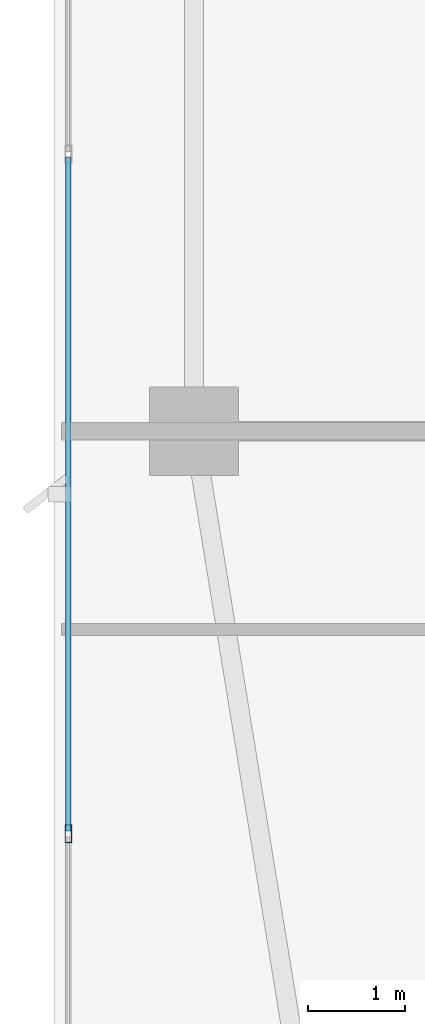
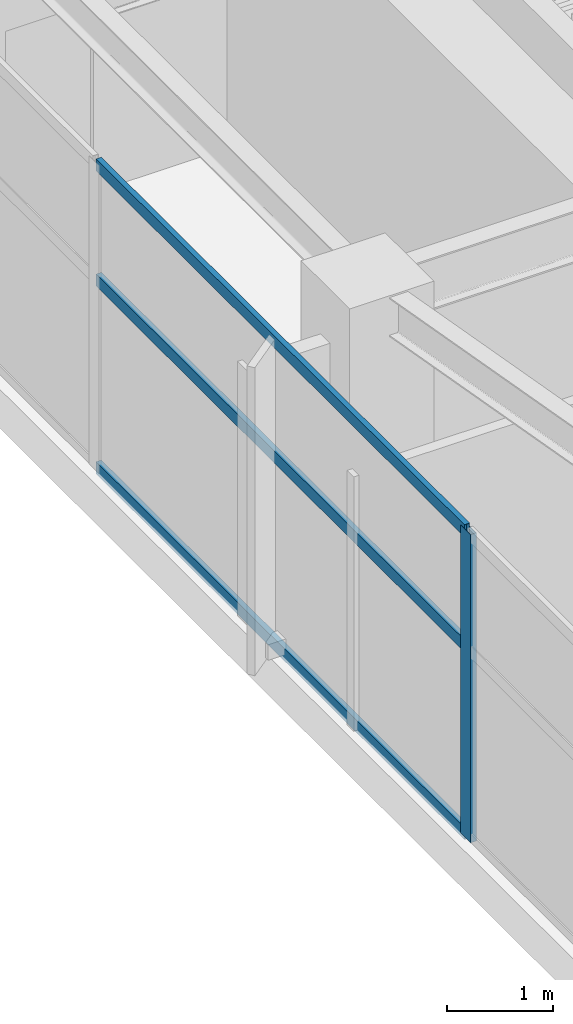
# One storey, part 4 of 29: 4 members, 1 element without a shape of its own.
"""IFC4 building model written with IfcOpenShell, lengths in metres."""

from ifc_helpers import new_model, si_unit, direction, frame, origin, origin_2d, place, context, subcontext, project, spatial, hollow_rectangle, extrude, material, layer, layer_set, material_profile, profile_set, type_object, element, aggregate, save


model = new_model("IFC4")

# Units and contexts
model_context = context("Model", 3, precision=1e-05, world=origin(), true_north=direction((0.0, 1.0)))
body_context = subcontext(model_context, "Body", "Model", "MODEL_VIEW")
ifc_project = project(units=[si_unit("LENGTHUNIT", "METRE"), si_unit("AREAUNIT", "SQUARE_METRE"), si_unit("VOLUMEUNIT", "CUBIC_METRE"), si_unit("PLANEANGLEUNIT", "RADIAN"), si_unit("MASSUNIT", "GRAM", prefix="KILO")], contexts=[model_context])

# Site, building, storey
site_placement = place(None, origin())
site = spatial("IfcSite", under=ifc_project, at=site_placement, CompositionType="ELEMENT")
building_placement = place(site_placement, origin())
building = spatial("IfcBuilding", under=site, at=building_placement, Name="Calvorn Quay Hotel", CompositionType="ELEMENT")
storey_placement = place(building_placement, frame((0.0, 0.0, 199.60009765625)))
storey = spatial("IfcBuildingStorey", under=building, at=storey_placement, Name="L49", CompositionType="ELEMENT", Elevation=199.60009765625)

# Curtain wall, members
ifc_material_1 = material(Name="Champagne Bronze Anodised Aluminium and Low-E Glass", Category="aluminium")
ifc_layer = layer(ifc_material_1, 0.219970703125)
ifc_layer_set = layer_set([ifc_layer], Name="CW-SYS-Z3")
curtain_wall_type = type_object("IfcCurtainWallType", Name="CW-SYS-Z3", PredefinedType="NOTDEFINED", material=ifc_layer_set)
curtain_wall_placement = place(storey_placement, origin())
curtain_wall = element("IfcCurtainWall", 1, at=curtain_wall_placement, inside=storey, type_object=curtain_wall_type, Name="Tower West Curtain Wall (L49)", PredefinedType="NOTDEFINED")
ifc_material_2 = material(Name="Champagne Bronze Anodised Aluminium 6063-T6", Category="aluminium")
ifc_material_profile_1 = material_profile(ifc_material_2, hollow_rectangle(XDim=0.068115234375, YDim=0.18505859375, WallThickness=0.00390625, at=origin_2d()), Name="ALU-M185x68x4")
ifc_profile_set_1 = profile_set([ifc_material_profile_1], Name="Champagne Bronze Anodised Aluminium 6063-T6")
member_type_1 = type_object("IfcMemberType", Name="CW-SYS-Z3-MUL", PredefinedType="MULLION", material=ifc_profile_set_1)
member_1_placement = place(storey_placement, frame((0.14990234375, 12.63330078125, 0.0), z_axis=(0.0, 0.0, 1.0), x_axis=(-1.0, 0.0, 0.0)))
member_1 = element("IfcMember", 2, at=member_1_placement, type_object=member_type_1, Name="CW-L49-W mullion 2", PredefinedType="MULLION", context=body_context, shape_type="SweptSolid", body=[
    extrude(hollow_rectangle(XDim=0.068115234375, YDim=0.18505859375, WallThickness=0.00390625, at=origin_2d()), origin(), (0.0, 0.0, 1.0), 3.559814453125),
])
ifc_material_3 = material(Name="Champagne Bronze Anodised Aluminium 6063-T6", Category="aluminium")
ifc_material_profile_2 = material_profile(ifc_material_3, hollow_rectangle(XDim=0.05810546875, YDim=0.139892578125, WallThickness=0.003173828125, at=origin_2d()), Name="ALU-T140x58x3.2")
ifc_profile_set_2 = profile_set([ifc_material_profile_2], Name="Champagne Bronze Anodised Aluminium 6063-T6")
member_type_2 = type_object("IfcMemberType", Name="CW-SYS-Z3-TRN", PredefinedType="USERDEFINED", material=ifc_profile_set_2)
member_2_placement = place(storey_placement, frame((0.14990234375, 12.663330078125, 0.02978515625), z_axis=(0.0, 1.0, 0.0), x_axis=(-1.0, 0.0, 0.0)))
member_2 = element("IfcMember", 3, at=member_2_placement, type_object=member_type_2, Name="CW-L49-W transom 2.1", ObjectType="TRANSOM", PredefinedType="USERDEFINED", context=body_context, shape_type="SweptSolid", body=[
    extrude(hollow_rectangle(XDim=0.05810546875, YDim=0.139892578125, WallThickness=0.003173828125, at=origin_2d()), origin(), (0.0, 0.0, 1.0), 6.973388671875),
])
member_3_placement = place(storey_placement, frame((0.14990234375, 12.663330078125, 2.199951171875), z_axis=(0.0, 1.0, 0.0), x_axis=(-1.0, 0.0, 0.0)))
member_3 = element("IfcMember", 4, at=member_3_placement, type_object=member_type_2, Name="CW-L49-W transom 2.2", ObjectType="TRANSOM", PredefinedType="USERDEFINED", context=body_context, shape_type="SweptSolid", body=[
    extrude(hollow_rectangle(XDim=0.05810546875, YDim=0.139892578125, WallThickness=0.003173828125, at=origin_2d()), origin(), (0.0, 0.0, 1.0), 6.973388671875),
])
member_4_placement = place(storey_placement, frame((0.14990234375, 12.663330078125, 3.52978515625), z_axis=(0.0, 1.0, 0.0), x_axis=(-1.0, 0.0, 0.0)))
member_4 = element("IfcMember", 5, at=member_4_placement, type_object=member_type_2, Name="CW-L49-W transom 2.3", ObjectType="TRANSOM", PredefinedType="USERDEFINED", context=body_context, shape_type="SweptSolid", body=[
    extrude(hollow_rectangle(XDim=0.05810546875, YDim=0.139892578125, WallThickness=0.003173828125, at=origin_2d()), origin(), (0.0, 0.0, 1.0), 6.973388671875),
])
aggregate(curtain_wall, [member_1, member_2, member_3, member_4])

save(model, "model.ifc")
